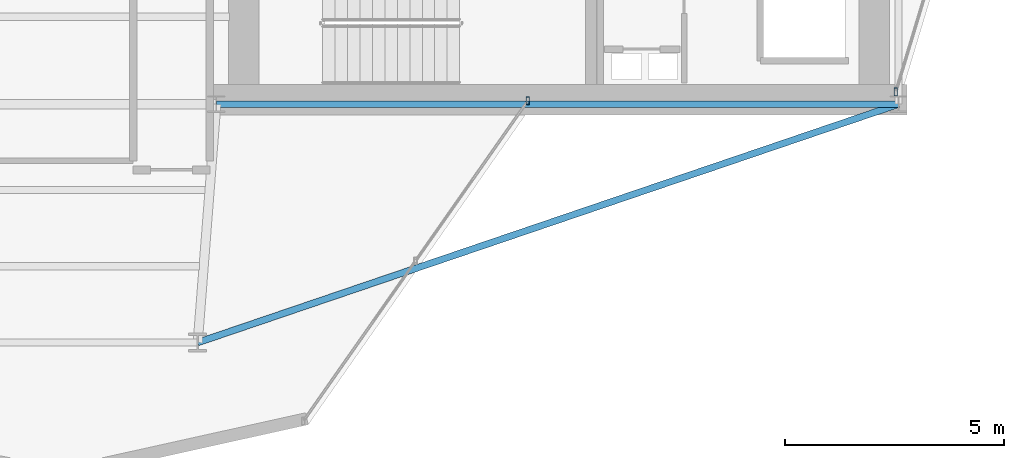
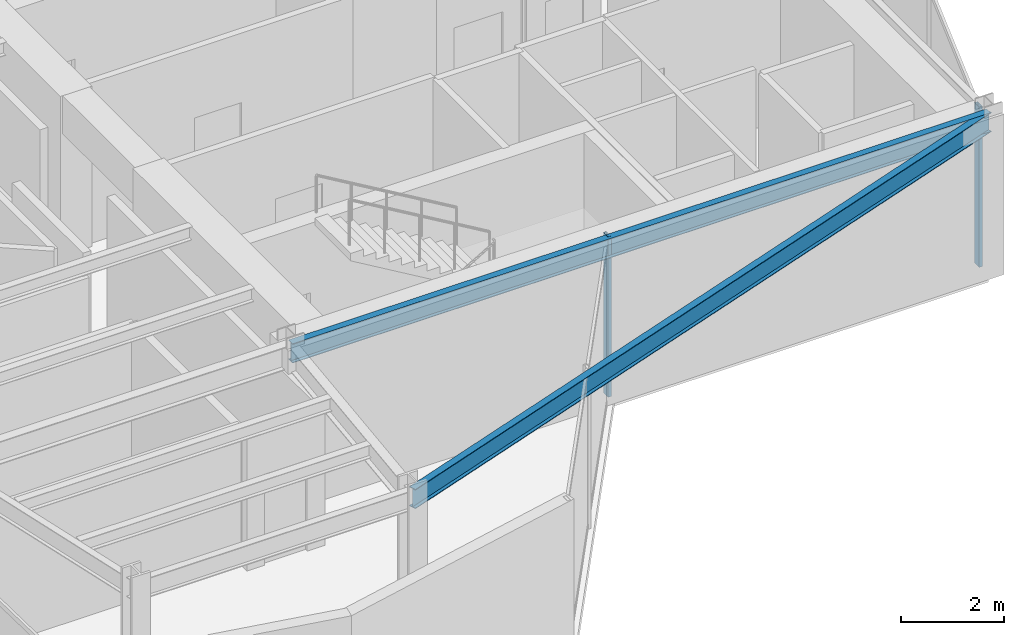
# One storey, part 13 of 22: 2 beams, 2 members, 2 elements without a shape of their own.
"""IFC4 building model written with IfcOpenShell, lengths in metres."""

from ifc_helpers import new_model, si_unit, direction, frame, origin, origin_2d, place, context, subcontext, project, spatial, hollow_rectangle, i_section, extrude, material, layer, layer_set, material_profile, profile_set, type_object, element, aggregate, save


model = new_model("IFC4")

# Units and contexts
model_context = context("Model", 3, precision=1e-05, world=origin(), true_north=direction((0.0, 1.0)))
body_context = subcontext(model_context, "Body", "Model", "MODEL_VIEW")
ifc_project = project(units=[si_unit("LENGTHUNIT", "METRE"), si_unit("AREAUNIT", "SQUARE_METRE"), si_unit("VOLUMEUNIT", "CUBIC_METRE"), si_unit("PLANEANGLEUNIT", "RADIAN"), si_unit("MASSUNIT", "GRAM", prefix="KILO")], contexts=[model_context])

# Site, building, storey
site_placement = place(None, origin())
site = spatial("IfcSite", under=ifc_project, at=site_placement, CompositionType="ELEMENT")
building_placement = place(site_placement, origin())
building = spatial("IfcBuilding", under=site, at=building_placement, Name="Veymaron Broadcast Tower", CompositionType="ELEMENT")
storey_placement = place(building_placement, frame((0.0, 0.0, 216.14990234375)))
storey = spatial("IfcBuildingStorey", under=building, at=storey_placement, Name="L50", CompositionType="ELEMENT", Elevation=216.14990234375)

# Beams
ifc_material_1 = material(Name="Structural steel ASTM A992 Gr 50", Category="steel")
ifc_material_profile_1 = material_profile(ifc_material_1, i_section(OverallWidth=0.154052734375, OverallDepth=0.458984375, WebThickness=0.009033203125, FlangeThickness=0.015380859375, at=origin_2d()), Name="W460X68")
ifc_profile_set_1 = profile_set([ifc_material_profile_1], Name="Structural steel ASTM A992 Gr 50")
beam_type = type_object("IfcBeamType", Name="BM-SP2", PredefinedType="SPANDREL", material=ifc_profile_set_1)
beam_1_placement = place(storey_placement, frame((39.0, 16.0, 3.560546875), z_axis=(1.0, 0.0, 0.0), x_axis=(0.0, 1.0, 0.0)))
element("IfcBeam", 1, at=beam_1_placement, inside=storey, type_object=beam_type, Name="L50 primary structural floor girder", PredefinedType="SPANDREL", context=body_context, shape_type="SweptSolid", body=[
    extrude(i_section(OverallWidth=0.154052734375, OverallDepth=0.458984375, WebThickness=0.009033203125, FlangeThickness=0.015380859375, at=origin_2d()), origin(), (0.0, 0.0, 1.0), 15.60009765625),
])
beam_2_placement = place(storey_placement, frame((54.60009765625, 16.0, 3.560546875), z_axis=(-0.946747509746, -0.3219769445, 0.0), x_axis=(0.3219769445, -0.946747509746, 0.0)))
element("IfcBeam", 2, at=beam_2_placement, inside=storey, type_object=beam_type, Name="L50 primary structural floor girder", PredefinedType="SPANDREL", context=body_context, shape_type="SweptSolid", body=[
    extrude(i_section(OverallWidth=0.154052734375, OverallDepth=0.458984375, WebThickness=0.009033203125, FlangeThickness=0.015380859375, at=origin_2d()), origin(), (0.0, 0.0, 1.0), 16.926513671875),
])

# Curtain wall, member
ifc_material_2 = material(Name="Anodised aluminium AA 6063-T6 and laminated low-E dark glass", Category="aluminium")
ifc_layer = layer(ifc_material_2, 0.179931640625)
ifc_layer_set = layer_set([ifc_layer], Name="Anodised aluminium AA 6063-T6 and laminated low-E dark glass")
curtain_wall_type = type_object("IfcCurtainWallType", Name="CW-SYS-05", PredefinedType="NOTDEFINED", material=ifc_layer_set)
curtain_wall_1_placement = place(storey_placement, origin())
curtain_wall_1 = element("IfcCurtainWall", 3, at=curtain_wall_1_placement, inside=storey, type_object=curtain_wall_type, Name="L50 dark-glass curtain wall CW-L50-E2-1", PredefinedType="NOTDEFINED")
ifc_material_3 = material(Name="Anodised aluminium AA 6063-T6", Category="aluminium")
ifc_material_profile_2 = material_profile(ifc_material_3, hollow_rectangle(XDim=0.074951171875, YDim=0.179931640625, WallThickness=0.0048828125, at=origin_2d()), Name="AL180X75X5")
ifc_profile_set_2 = profile_set([ifc_material_profile_2], Name="Anodised aluminium AA 6063-T6")
member_type = type_object("IfcMemberType", Name="CW-MUL-02", PredefinedType="MULLION", material=ifc_profile_set_2)
member_1_placement = place(storey_placement, frame((54.53955078125, 16.283935546875, 0.0), z_axis=(0.0, 0.0, 1.0), x_axis=(1.0, 0.0, 0.0)))
member_1 = element("IfcMember", 4, at=member_1_placement, type_object=member_type, Name="CW-L50-E2-1 mullion 0", PredefinedType="MULLION", context=body_context, shape_type="SweptSolid", body=[
    extrude(hollow_rectangle(XDim=0.074951171875, YDim=0.179931640625, WallThickness=0.0048828125, at=origin_2d()), origin(), (0.0, 0.0, 1.0), 3.7900390625),
])
aggregate(curtain_wall_1, [member_1])

curtain_wall_2_placement = place(storey_placement, origin())
curtain_wall_2 = element("IfcCurtainWall", 5, at=curtain_wall_2_placement, inside=storey, type_object=curtain_wall_type, Name="L50 dark-glass curtain wall CW-L50-E20-1", PredefinedType="NOTDEFINED")
member_2_placement = place(storey_placement, frame((46.124755859375, 16.080322265625, 0.0), z_axis=(0.0, 0.0, 1.0), x_axis=(1.0, 0.0, 0.0)))
member_2 = element("IfcMember", 6, at=member_2_placement, type_object=member_type, Name="CW-L50-E20-1 mullion 2", PredefinedType="MULLION", context=body_context, shape_type="SweptSolid", body=[
    extrude(hollow_rectangle(XDim=0.074951171875, YDim=0.179931640625, WallThickness=0.0048828125, at=origin_2d()), origin(), (0.0, 0.0, 1.0), 3.7900390625),
])
aggregate(curtain_wall_2, [member_2])

save(model, "model.ifc")
